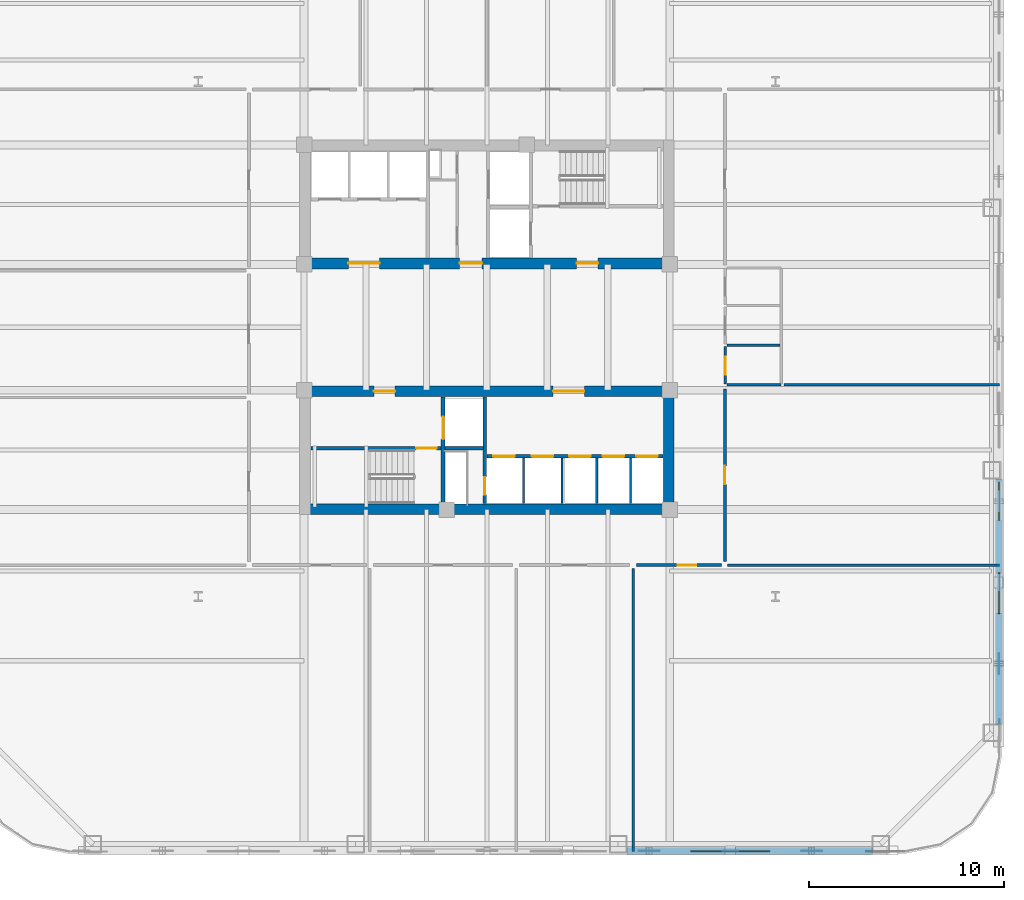
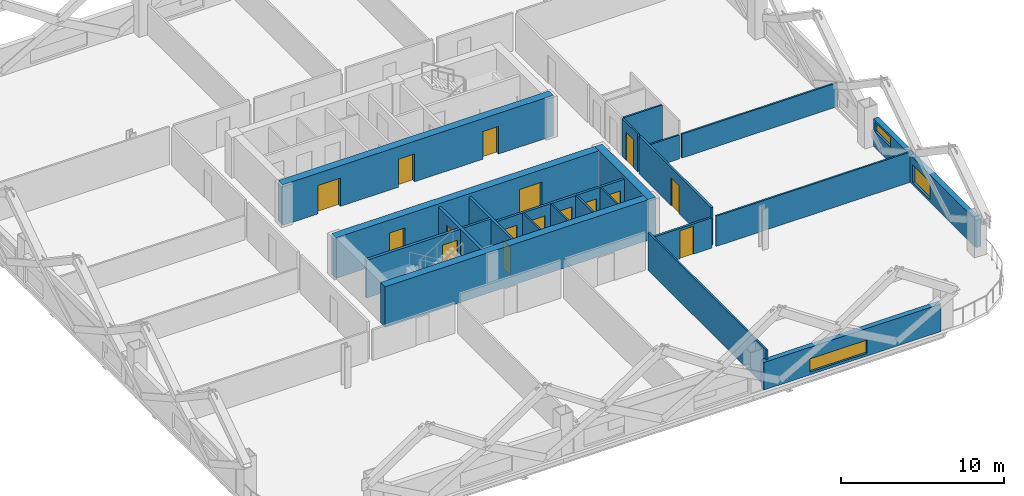
# One storey, part 5 of 13: 23 walls, 16 doors, 3 windows, 19 openings.
"""IFC4 building model written with IfcOpenShell, lengths in metres."""

from ifc_helpers import new_model, si_unit, direction, frame, frame_2d, origin, place, context, subcontext, project, spatial, rectangle, extrude, material, layer, layer_set, type_object, element, fill, save


model = new_model("IFC4")

# Units and contexts
model_context = context("Model", 3, precision=1e-05, world=origin(), true_north=direction((0.0, 1.0)))
body_context = subcontext(model_context, "Body", "Model", "MODEL_VIEW")
ifc_project = project(units=[si_unit("LENGTHUNIT", "METRE"), si_unit("AREAUNIT", "SQUARE_METRE"), si_unit("VOLUMEUNIT", "CUBIC_METRE"), si_unit("PLANEANGLEUNIT", "RADIAN"), si_unit("MASSUNIT", "GRAM", prefix="KILO")], contexts=[model_context])

# Site, building, storey
site_placement = place(None, origin())
site = spatial("IfcSite", under=ifc_project, at=site_placement, CompositionType="ELEMENT")
building_placement = place(site_placement, origin())
building = spatial("IfcBuilding", under=site, at=building_placement, Name="Qhalaya Broadcast Tower", CompositionType="ELEMENT")
storey_placement = place(building_placement, frame((0.0, 0.0, 44.39990234375)))
storey = spatial("IfcBuildingStorey", under=building, at=storey_placement, Name="L12", CompositionType="ELEMENT", Elevation=44.39990234375)

# Wall, opening, door
ifc_material_1 = material(Name="Gypsum Acoustic Partition")
ifc_layer_1 = layer(ifc_material_1, 0.14990234375, Name="Gypsum Acoustic Partition")
ifc_layer_set_1 = layer_set([ifc_layer_1], Name="Gypsum Acoustic Partition")
wall_type_1 = type_object("IfcWallType", Name="Corridor & Tenancy Acoustic Partition 150", PredefinedType="PARTITIONING", material=ifc_layer_set_1)
wall_1_placement = place(storey_placement, frame((7.679931640625, -11.60009765625, 0.0), z_axis=(0.0, 0.0, 1.0), x_axis=(1.0, 0.0, 0.0)))
wall_1 = element("IfcWall", 1, at=wall_1_placement, inside=storey, type_object=wall_type_1, Name="L12 Partition Wall W-COR-08", PredefinedType="PARTITIONING", context=body_context, shape_type="SweptSolid", body=[
    extrude(rectangle(XDim=4.340087890625, YDim=0.14990234375, at=frame_2d((2.169921875, 0.0))), origin(), (0.0, 0.0, 1.0), 2.274169921875),
])
opening_1_placement = place(wall_1_placement, frame((2.094970703125, 0.0, 0.0)))
opening_1 = element("IfcOpeningElement", 2, at=opening_1_placement, cuts=wall_1, Name="Opening D10", PredefinedType="OPENING", context=body_context, shape_type="SweptSolid", body=[
    extrude(rectangle(XDim=0.949951171875, YDim=2.10009765625, at=frame_2d((0.47509765625, 1.050048828125))), frame((0.0, 0.0869140625, 0.0), z_axis=(0.0, -1.0, 0.0), x_axis=(1.0, 0.0, 0.0)), (0.0, 0.0, 1.0), 0.173828125),
])
ifc_material_2 = material(Name="Timber Veneer Acoustic Door", Category="wood")
door_type_1 = type_object("IfcDoorType", Name="Cellular Office & Edit Booth Door D10", OperationType="NOTDEFINED", PredefinedType="DOOR", material=ifc_material_2)
door_1_placement = place(opening_1_placement, origin())
door_1 = element("IfcDoor", 3, at=door_1_placement, inside=storey, type_object=door_type_1, Name="L12 Door D-RM08", OperationType="SINGLE_SWING_LEFT", OverallHeight=2.10009765625, OverallWidth=0.949951171875, PredefinedType="DOOR", context=body_context, shape_type="SweptSolid", body=[
    extrude(rectangle(XDim=0.949951171875, YDim=2.10009765625, at=frame_2d((0.47509765625, 1.050048828125))), frame((0.0, 0.02490234375, 0.0), z_axis=(0.0, -1.0, 0.0), x_axis=(1.0, 0.0, 0.0)), (0.0, 0.0, 1.0), 0.050048828125),
])
fill(opening_1, door_1)

wall_2_placement = place(storey_placement, frame((12.199951171875, -11.39990234375, 0.0), z_axis=(0.0, 0.0, 1.0), x_axis=(0.0, 1.0, 0.0)))
wall_2 = element("IfcWall", 4, at=wall_2_placement, inside=storey, type_object=wall_type_1, Name="L12 Partition Wall W-COR-12", PredefinedType="PARTITIONING", context=body_context, shape_type="SweptSolid", body=[
    extrude(rectangle(XDim=8.83984375, YDim=0.14990234375, at=frame_2d((4.419921875, 0.0))), origin(), (0.0, 0.0, 1.0), 2.830078125),
])
opening_2_placement = place(wall_2_placement, frame((3.945068359375, 0.0, 0.0)))
opening_2 = element("IfcOpeningElement", 5, at=opening_2_placement, cuts=wall_2, Name="Opening D10", PredefinedType="OPENING", context=body_context, shape_type="SweptSolid", body=[
    extrude(rectangle(XDim=0.949951171875, YDim=2.10009765625, at=frame_2d((0.47509765625, 1.050048828125))), frame((0.0, 0.0869140625, 0.0), z_axis=(0.0, -1.0, 0.0), x_axis=(1.0, 0.0, 0.0)), (0.0, 0.0, 1.0), 0.173828125),
])
door_2_placement = place(opening_2_placement, origin())
door_2 = element("IfcDoor", 6, at=door_2_placement, inside=storey, type_object=door_type_1, Name="L12 Door D-RM12", OperationType="SINGLE_SWING_LEFT", OverallHeight=2.10009765625, OverallWidth=0.949951171875, PredefinedType="DOOR", context=body_context, shape_type="SweptSolid", body=[
    extrude(rectangle(XDim=0.949951171875, YDim=2.10009765625, at=frame_2d((0.47509765625, 1.050048828125))), frame((0.0, 0.02490234375, 0.0), z_axis=(0.0, -1.0, 0.0), x_axis=(1.0, 0.0, 0.0)), (0.0, 0.0, 1.0), 0.050048828125),
])
fill(opening_2, door_2)

# Wall, opening, window
ifc_material_3 = material(Name="Precast Concrete C40/50", Category="concrete")
ifc_layer_2 = layer(ifc_material_3, 0.360107421875, Name="Precast Concrete C40/50")
ifc_layer_set_2 = layer_set([ifc_layer_2], Name="Precast Concrete C40/50")
wall_type_2 = type_object("IfcWallType", Name="Insulated Precast Terracotta Exterior Wall 360", PredefinedType="SOLIDWALL", material=ifc_layer_set_2)
wall_3_placement = place(storey_placement, frame((19.761962890625, -26.260009765625, 0.0), z_axis=(0.0, 0.0, 1.0), x_axis=(-1.0, 0.0, 0.0)))
wall_3 = element("IfcWall", 7, at=wall_3_placement, inside=storey, type_object=wall_type_2, Name="L12 Exoskeleton Diagrid Infill Wall S1", PredefinedType="SOLIDWALL", context=body_context, shape_type="SweptSolid", body=[
    extrude(rectangle(XDim=12.57861328125, YDim=0.360107421875, at=frame_2d((6.289306640625, 0.0))), origin(), (0.0, 0.0, 1.0), 2.067138671875),
])
opening_3_placement = place(wall_3_placement, frame((5.25, 0.0, 0.199951171875)))
opening_3 = element("IfcOpeningElement", 8, at=opening_3_placement, cuts=wall_3, Name="Opening W11", PredefinedType="OPENING", context=body_context, shape_type="SweptSolid", body=[
    extrude(rectangle(XDim=4.050048828125, YDim=1.0, at=frame_2d((2.02490234375, 0.5))), frame((0.0, 0.192138671875, 0.0), z_axis=(0.0, -1.0, 0.0), x_axis=(1.0, 0.0, 0.0)), (0.0, 0.0, 1.0), 0.384033203125),
])
ifc_material_4 = material(Name="Solar-Control Low-E Triple Glazing", Category="glass")
window_type = type_object("IfcWindowType", Name="Odd-Block Diagrid Infill Window W11", PartitioningType="SINGLE_PANEL", PredefinedType="WINDOW", material=ifc_material_4)
window_1_placement = place(opening_3_placement, origin())
window_1 = element("IfcWindow", 9, at=window_1_placement, inside=storey, type_object=window_type, Name="L12 Diagrid Infill Window W11-S1", OverallHeight=1.0, OverallWidth=4.050048828125, PartitioningType="SINGLE_PANEL", PredefinedType="WINDOW", context=body_context, shape_type="SweptSolid", body=[
    extrude(rectangle(XDim=4.050048828125, YDim=1.0, at=frame_2d((2.02490234375, 0.5))), frame((0.0, 0.030029296875, 0.0), z_axis=(0.0, -1.0, 0.0), x_axis=(1.0, 0.0, 0.0)), (0.0, 0.0, 1.0), 0.06005859375),
])
fill(opening_3, window_1)

# Wall, openings, windows
wall_4_placement = place(storey_placement, frame((26.260009765625, -7.183349609375, 0.0), z_axis=(0.0, 0.0, 1.0), x_axis=(0.0, -1.0, 0.0)))
wall_4 = element("IfcWall", 10, at=wall_4_placement, inside=storey, type_object=wall_type_2, Name="L12 Exoskeleton Diagrid Infill Wall E3", PredefinedType="SOLIDWALL", context=body_context, shape_type="SweptSolid", body=[
    extrude(rectangle(XDim=12.57861328125, YDim=0.360107421875, at=frame_2d((6.289306640625, 0.0))), origin(), (0.0, 0.0, 1.0), 2.067138671875),
])
opening_4_placement = place(wall_4_placement, frame((0.155029296875, 0.0, 1.199951171875)))
opening_4 = element("IfcOpeningElement", 11, at=opening_4_placement, cuts=wall_4, Name="Opening W11", PredefinedType="OPENING", context=body_context, shape_type="SweptSolid", body=[
    extrude(rectangle(XDim=1.949951171875, YDim=0.699951171875, at=frame_2d((0.97509765625, 0.35009765625))), frame((0.0, 0.192138671875, 0.0), z_axis=(0.0, -1.0, 0.0), x_axis=(1.0, 0.0, 0.0)), (0.0, 0.0, 1.0), 0.384033203125),
])
opening_5_placement = place(wall_4_placement, frame((4.804931640625, 0.0, 0.199951171875)))
opening_5 = element("IfcOpeningElement", 12, at=opening_5_placement, cuts=wall_4, Name="Opening W11", PredefinedType="OPENING", context=body_context, shape_type="SweptSolid", body=[
    extrude(rectangle(XDim=2.10009765625, YDim=1.300048828125, at=frame_2d((1.050048828125, 0.64990234375))), frame((0.0, 0.192138671875, 0.0), z_axis=(0.0, -1.0, 0.0), x_axis=(1.0, 0.0, 0.0)), (0.0, 0.0, 1.0), 0.384033203125),
])
window_2_placement = place(opening_4_placement, origin())
window_2 = element("IfcWindow", 13, at=window_2_placement, inside=storey, type_object=window_type, Name="L12 Diagrid Infill Window W11-E6", OverallHeight=0.699951171875, OverallWidth=1.949951171875, PartitioningType="SINGLE_PANEL", PredefinedType="WINDOW", context=body_context, shape_type="SweptSolid", body=[
    extrude(rectangle(XDim=1.949951171875, YDim=0.699951171875, at=frame_2d((0.97509765625, 0.35009765625))), frame((0.0, 0.030029296875, 0.0), z_axis=(0.0, -1.0, 0.0), x_axis=(1.0, 0.0, 0.0)), (0.0, 0.0, 1.0), 0.06005859375),
])
fill(opening_4, window_2)
window_3_placement = place(opening_5_placement, origin())
window_3 = element("IfcWindow", 14, at=window_3_placement, inside=storey, type_object=window_type, Name="L12 Diagrid Infill Window W11-E7", OverallHeight=1.300048828125, OverallWidth=2.10009765625, PartitioningType="SINGLE_PANEL", PredefinedType="WINDOW", context=body_context, shape_type="SweptSolid", body=[
    extrude(rectangle(XDim=2.10009765625, YDim=1.300048828125, at=frame_2d((1.050048828125, 0.64990234375))), frame((0.0, 0.030029296875, 0.0), z_axis=(0.0, -1.0, 0.0), x_axis=(1.0, 0.0, 0.0)), (0.0, 0.0, 1.0), 0.06005859375),
])
fill(opening_5, window_3)

# Wall, opening, door
ifc_material_5 = material(Name="Concrete C50/60", Category="concrete")
ifc_layer_3 = layer(ifc_material_5, 0.199951171875, Name="Concrete C50/60")
ifc_layer_set_3 = layer_set([ifc_layer_3], Name="Concrete C50/60")
wall_type_3 = type_object("IfcWallType", Name="Load-Bearing Stair Shaft Wall 200", PredefinedType="SHEAR", material=ifc_layer_set_3)
wall_5_placement = place(storey_placement, frame((-9.030029296875, -5.60498046875, 0.0), z_axis=(0.0, 0.0, 1.0), x_axis=(1.0, 0.0, 0.0)))
wall_5 = element("IfcWall", 15, at=wall_5_placement, inside=storey, type_object=wall_type_3, Name="L12 Stair Core Shear Wall SCW-ST2", PredefinedType="SHEAR", context=body_context, shape_type="SweptSolid", body=[
    extrude(rectangle(XDim=6.669921875, YDim=0.199951171875, at=frame_2d((3.3349609375, 0.0))), origin(), (0.0, 0.0, 1.0), 2.830078125),
])
opening_6_placement = place(wall_5_placement, frame((5.39990234375, 0.0, 0.0)))
opening_6 = element("IfcOpeningElement", 16, at=opening_6_placement, cuts=wall_5, Name="Opening D03", PredefinedType="OPENING", context=body_context, shape_type="SweptSolid", body=[
    extrude(rectangle(XDim=1.050048828125, YDim=2.080078125, at=frame_2d((0.52490234375, 1.0400390625))), frame((0.0, 0.112060546875, 0.0), z_axis=(0.0, -1.0, 0.0), x_axis=(1.0, 0.0, 0.0)), (0.0, 0.0, 1.0), 0.223876953125),
])
ifc_material_6 = material(Name="Fire-Rated Steel Door", Category="steel")
door_type_2 = type_object("IfcDoorType", Name="Core Stair Protected Fire Door D03", OperationType="NOTDEFINED", PredefinedType="DOOR", material=ifc_material_6)
door_3_placement = place(opening_6_placement, origin())
door_3 = element("IfcDoor", 17, at=door_3_placement, inside=storey, type_object=door_type_2, Name="L12 Door D-SST2", OperationType="SINGLE_SWING_RIGHT", OverallHeight=2.080078125, OverallWidth=1.050048828125, PredefinedType="DOOR", context=body_context, shape_type="SweptSolid", body=[
    extrude(rectangle(XDim=1.050048828125, YDim=2.080078125, at=frame_2d((0.52490234375, 1.0400390625))), frame((0.0, 0.02490234375, 0.0), z_axis=(0.0, -1.0, 0.0), x_axis=(1.0, 0.0, 0.0)), (0.0, 0.0, 1.0), 0.050048828125),
])
fill(opening_6, door_3)

wall_6_placement = place(storey_placement, frame((-2.25, -8.429931640625, 0.0), z_axis=(0.0, 0.0, 1.0), x_axis=(0.0, 1.0, 0.0)))
wall_6 = element("IfcWall", 18, at=wall_6_placement, inside=storey, type_object=wall_type_3, Name="L12 Stair Core Shear Wall SCW-FF", PredefinedType="SHEAR", context=body_context, shape_type="SweptSolid", body=[
    extrude(rectangle(XDim=5.4599609375, YDim=0.199951171875, at=frame_2d((2.72998046875, 0.0))), origin(), (0.0, 0.0, 1.0), 2.830078125),
])
opening_7_placement = place(wall_6_placement, frame((3.300048828125, 0.0, 0.0)))
opening_7 = element("IfcOpeningElement", 19, at=opening_7_placement, cuts=wall_6, Name="Opening LD2", PredefinedType="OPENING", context=body_context, shape_type="SweptSolid", body=[
    extrude(rectangle(XDim=1.14990234375, YDim=2.080078125, at=frame_2d((0.574951171875, 1.0400390625))), frame((0.0, 0.112060546875, 0.0), z_axis=(0.0, -1.0, 0.0), x_axis=(1.0, 0.0, 0.0)), (0.0, 0.0, 1.0), 0.223876953125),
])
ifc_material_7 = material(Name="Brushed Stainless Steel Lift Door", Category="steel")
door_type_3 = type_object("IfcDoorType", Name="Firefighting Lift Sliding Landing Door LD2", OperationType="DOUBLE_DOOR_SLIDING", PredefinedType="DOOR", material=ifc_material_7)
door_4_placement = place(opening_7_placement, origin())
door_4 = element("IfcDoor", 20, at=door_4_placement, inside=storey, type_object=door_type_3, Name="L12 Door LD-FF2", OperationType="DOUBLE_DOOR_SLIDING", OverallHeight=2.080078125, OverallWidth=1.14990234375, PredefinedType="DOOR", context=body_context, shape_type="SweptSolid", body=[
    extrude(rectangle(XDim=1.14990234375, YDim=2.080078125, at=frame_2d((0.574951171875, 1.0400390625))), frame((0.0, 0.02490234375, 0.0), z_axis=(0.0, -1.0, 0.0), x_axis=(1.0, 0.0, 0.0)), (0.0, 0.0, 1.0), 0.050048828125),
])
fill(opening_7, door_4)

# Wall, openings, doors
ifc_material_8 = material(Name="Concrete C60/75", Category="concrete")
ifc_layer_4 = layer(ifc_material_8, 0.550048828125, Name="Concrete C60/75")
ifc_layer_set_4 = layer_set([ifc_layer_4], Name="Concrete C60/75")
wall_type_4 = type_object("IfcWallType", Name="Lower Split-Core Shear Wall 550", PredefinedType="SHEAR", material=ifc_layer_set_4)
wall_7_placement = place(storey_placement, frame((-9.60009765625, 3.875, 0.0), z_axis=(0.0, 0.0, 1.0), x_axis=(1.0, 0.0, 0.0)))
wall_7 = element("IfcWall", 21, at=wall_7_placement, inside=storey, type_object=wall_type_4, Name="L12 Split-Core Shear Wall CW-NS", PredefinedType="SHEAR", context=body_context, shape_type="SweptSolid", body=[
    extrude(rectangle(XDim=19.2001953125, YDim=0.550048828125, at=frame_2d((9.60009765625, 0.0))), origin(), (0.0, 0.0, 1.0), 3.050048828125),
])
opening_8_placement = place(wall_7_placement, frame((14.199951171875, 0.0, 0.0)))
opening_8 = element("IfcOpeningElement", 22, at=opening_8_placement, cuts=wall_7, Name="Opening D04", PredefinedType="OPENING", context=body_context, shape_type="SweptSolid", body=[
    extrude(rectangle(XDim=1.10009765625, YDim=2.080078125, at=frame_2d((0.550048828125, 1.0400390625))), frame((0.0, 0.287109375, 0.0), z_axis=(0.0, -1.0, 0.0), x_axis=(1.0, 0.0, 0.0)), (0.0, 0.0, 1.0), 0.573974609375),
])
opening_9_placement = place(wall_7_placement, frame((8.199951171875, 0.0, 0.0)))
opening_9 = element("IfcOpeningElement", 23, at=opening_9_placement, cuts=wall_7, Name="Opening D05", PredefinedType="OPENING", context=body_context, shape_type="SweptSolid", body=[
    extrude(rectangle(XDim=1.14990234375, YDim=2.10009765625, at=frame_2d((0.574951171875, 1.050048828125))), frame((0.0, 0.287109375, 0.0), z_axis=(0.0, -1.0, 0.0), x_axis=(1.0, 0.0, 0.0)), (0.0, 0.0, 1.0), 0.573974609375),
])
opening_10_placement = place(wall_7_placement, frame((2.5, 0.0, 0.0)))
opening_10 = element("IfcOpeningElement", 24, at=opening_10_placement, cuts=wall_7, Name="Opening D07", PredefinedType="OPENING", context=body_context, shape_type="SweptSolid", body=[
    extrude(rectangle(XDim=1.60009765625, YDim=2.1201171875, at=frame_2d((0.800048828125, 1.06005859375))), frame((0.0, 0.287109375, 0.0), z_axis=(0.0, -1.0, 0.0), x_axis=(1.0, 0.0, 0.0)), (0.0, 0.0, 1.0), 0.573974609375),
])
door_type_4 = type_object("IfcDoorType", Name="Firefighting Lobby Rated Door D04", OperationType="NOTDEFINED", PredefinedType="DOOR", material=ifc_material_6)
door_5_placement = place(opening_8_placement, origin())
door_5 = element("IfcDoor", 25, at=door_5_placement, inside=storey, type_object=door_type_4, Name="L12 Door D-NFF", OperationType="SINGLE_SWING_RIGHT", OverallHeight=2.080078125, OverallWidth=1.10009765625, PredefinedType="DOOR", context=body_context, shape_type="SweptSolid", body=[
    extrude(rectangle(XDim=1.10009765625, YDim=2.080078125, at=frame_2d((0.550048828125, 1.0400390625))), frame((0.0, 0.02490234375, 0.0), z_axis=(0.0, -1.0, 0.0), x_axis=(1.0, 0.0, 0.0)), (0.0, 0.0, 1.0), 0.050048828125),
])
fill(opening_8, door_5)
ifc_material_9 = material(Name="Anodised Aluminium Glazed Door", Category="aluminium")
door_type_5 = type_object("IfcDoorType", Name="Passenger Lift Lobby Double Glazed Door D07", OperationType="DOUBLE_DOOR_SINGLE_SWING", PredefinedType="DOOR", material=ifc_material_9)
door_6_placement = place(opening_10_placement, origin())
door_6 = element("IfcDoor", 26, at=door_6_placement, inside=storey, type_object=door_type_5, Name="L12 Door D-NPLL", OperationType="DOUBLE_DOOR_SINGLE_SWING", OverallHeight=2.1201171875, OverallWidth=1.60009765625, PredefinedType="DOOR", context=body_context, shape_type="SweptSolid", body=[
    extrude(rectangle(XDim=1.60009765625, YDim=2.1201171875, at=frame_2d((0.800048828125, 1.06005859375))), frame((0.0, 0.02490234375, 0.0), z_axis=(0.0, -1.0, 0.0), x_axis=(1.0, 0.0, 0.0)), (0.0, 0.0, 1.0), 0.050048828125),
])
fill(opening_10, door_6)
door_type_6 = type_object("IfcDoorType", Name="Refuge & Plant Room Fire Door D05", OperationType="NOTDEFINED", PredefinedType="DOOR", material=ifc_material_6)
door_7_placement = place(opening_9_placement, origin())
door_7 = element("IfcDoor", 27, at=door_7_placement, inside=storey, type_object=door_type_6, Name="L12 Door D-NSVL", OperationType="SINGLE_SWING_LEFT", OverallHeight=2.10009765625, OverallWidth=1.14990234375, PredefinedType="DOOR", context=body_context, shape_type="SweptSolid", body=[
    extrude(rectangle(XDim=1.14990234375, YDim=2.10009765625, at=frame_2d((0.574951171875, 1.050048828125))), frame((0.0, 0.02490234375, 0.0), z_axis=(0.0, -1.0, 0.0), x_axis=(1.0, 0.0, 0.0)), (0.0, 0.0, 1.0), 0.050048828125),
])
fill(opening_9, door_7)

# Wall
wall_8_placement = place(storey_placement, frame((-9.60009765625, -8.72509765625, 0.0), z_axis=(0.0, 0.0, 1.0), x_axis=(1.0, 0.0, 0.0)))
element("IfcWall", 28, at=wall_8_placement, inside=storey, type_object=wall_type_4, Name="L12 Split-Core Shear Wall CW-SS", PredefinedType="SHEAR", context=body_context, shape_type="SweptSolid", body=[
    extrude(rectangle(XDim=19.2001953125, YDim=0.550048828125, at=frame_2d((9.60009765625, 0.0))), origin(), (0.0, 0.0, 1.0), 3.050048828125),
])

# Wall, openings, doors
wall_9_placement = place(storey_placement, frame((-9.60009765625, -2.675048828125, 0.0), z_axis=(0.0, 0.0, 1.0), x_axis=(1.0, 0.0, 0.0)))
wall_9 = element("IfcWall", 29, at=wall_9_placement, inside=storey, type_object=wall_type_4, Name="L12 Split-Core Shear Wall CW-SN", PredefinedType="SHEAR", context=body_context, shape_type="SweptSolid", body=[
    extrude(rectangle(XDim=19.2001953125, YDim=0.550048828125, at=frame_2d((9.60009765625, 0.0))), origin(), (0.0, 0.0, 1.0), 3.050048828125),
])
opening_11_placement = place(wall_9_placement, frame((3.800048828125, 0.0, 0.0)))
opening_11 = element("IfcOpeningElement", 30, at=opening_11_placement, cuts=wall_9, Name="Opening D04", PredefinedType="OPENING", context=body_context, shape_type="SweptSolid", body=[
    extrude(rectangle(XDim=1.10009765625, YDim=2.080078125, at=frame_2d((0.550048828125, 1.0400390625))), frame((0.0, 0.287109375, 0.0), z_axis=(0.0, -1.0, 0.0), x_axis=(1.0, 0.0, 0.0)), (0.0, 0.0, 1.0), 0.573974609375),
])
opening_12_placement = place(wall_9_placement, frame((13.0, 0.0, 0.0)))
opening_12 = element("IfcOpeningElement", 31, at=opening_12_placement, cuts=wall_9, Name="Opening D07", PredefinedType="OPENING", context=body_context, shape_type="SweptSolid", body=[
    extrude(rectangle(XDim=1.60009765625, YDim=2.1201171875, at=frame_2d((0.800048828125, 1.06005859375))), frame((0.0, 0.287109375, 0.0), z_axis=(0.0, -1.0, 0.0), x_axis=(1.0, 0.0, 0.0)), (0.0, 0.0, 1.0), 0.573974609375),
])
door_8_placement = place(opening_11_placement, origin())
door_8 = element("IfcDoor", 32, at=door_8_placement, inside=storey, type_object=door_type_4, Name="L12 Door D-SFF", OperationType="SINGLE_SWING_LEFT", OverallHeight=2.080078125, OverallWidth=1.10009765625, PredefinedType="DOOR", context=body_context, shape_type="SweptSolid", body=[
    extrude(rectangle(XDim=1.10009765625, YDim=2.080078125, at=frame_2d((0.550048828125, 1.0400390625))), frame((0.0, 0.02490234375, 0.0), z_axis=(0.0, -1.0, 0.0), x_axis=(1.0, 0.0, 0.0)), (0.0, 0.0, 1.0), 0.050048828125),
])
fill(opening_11, door_8)
door_9_placement = place(opening_12_placement, origin())
door_9 = element("IfcDoor", 33, at=door_9_placement, inside=storey, type_object=door_type_5, Name="L12 Door D-SPLL", OperationType="DOUBLE_DOOR_SINGLE_SWING", OverallHeight=2.1201171875, OverallWidth=1.60009765625, PredefinedType="DOOR", context=body_context, shape_type="SweptSolid", body=[
    extrude(rectangle(XDim=1.60009765625, YDim=2.1201171875, at=frame_2d((0.800048828125, 1.06005859375))), frame((0.0, 0.02490234375, 0.0), z_axis=(0.0, -1.0, 0.0), x_axis=(1.0, 0.0, 0.0)), (0.0, 0.0, 1.0), 0.050048828125),
])
fill(opening_12, door_9)

# Walls
wall_10_placement = place(storey_placement, frame((9.324951171875, -9.0, 0.0), z_axis=(0.0, 0.0, 1.0), x_axis=(0.0, 1.0, 0.0)))
element("IfcWall", 34, at=wall_10_placement, inside=storey, type_object=wall_type_4, Name="L12 Split-Core Shear Wall CW-SE", PredefinedType="SHEAR", context=body_context, shape_type="SweptSolid", body=[
    extrude(rectangle(XDim=6.60009765625, YDim=0.550048828125, at=frame_2d((3.300048828125, 0.0))), origin(), (0.0, 0.0, 1.0), 3.050048828125),
])
ifc_layer_5 = layer(ifc_material_1, 0.1201171875, Name="Gypsum Acoustic Partition")
ifc_layer_set_5 = layer_set([ifc_layer_5], Name="Gypsum Acoustic Partition")
wall_type_5 = type_object("IfcWallType", Name="Office, Booth & Sanitary Partition 120", PredefinedType="PARTITIONING", material=ifc_layer_set_5)
for number, where, z_axis, x_axis, name in (
    (35, (1.8798828125, -8.429931640625, 0.0), (0.0, 0.0, 1.0), (0.0, 1.0, 0.0), "L12 Partition Wall SCW-MD4"),
    (36, (3.85009765625, -8.429931640625, 0.0), (0.0, 0.0, 1.0), (0.0, 1.0, 0.0), "L12 Partition Wall SCW-MD5"),
    (37, (5.639892578125, -8.429931640625, 0.0), (0.0, 0.0, 1.0), (0.0, 1.0, 0.0), "L12 Partition Wall SCW-HD6"),
    (38, (7.360107421875, -8.429931640625, 0.0), (0.0, 0.0, 1.0), (0.0, 1.0, 0.0), "L12 Partition Wall SCW-HD7"),
):
    element("IfcWall", number, at=place(storey_placement, frame(where, z_axis=z_axis, x_axis=x_axis)), inside=storey, type_object=wall_type_5, Name=name, PredefinedType="PARTITIONING", context=body_context, shape_type="SweptSolid", body=[
        extrude(rectangle(XDim=2.329833984375, YDim=0.1201171875, at=frame_2d((1.1650390625, 0.0))), origin(), (0.0, 0.0, 1.0), 2.830078125),
    ])

# Wall, opening, door
wall_11_placement = place(storey_placement, frame((12.219970703125, -2.320068359375, 0.0), z_axis=(0.0, 0.0, 1.0), x_axis=(0.0, 1.0, 0.0)))
wall_11 = element("IfcWall", 39, at=wall_11_placement, inside=storey, type_object=wall_type_5, Name="L12 Partition Wall W-WCWA", PredefinedType="PARTITIONING", context=body_context, shape_type="SweptSolid", body=[
    extrude(rectangle(XDim=1.940185546875, YDim=0.1201171875, at=frame_2d((0.97021484375, 0.0))), origin(), (0.0, 0.0, 1.0), 2.830078125),
])
opening_13_placement = place(wall_11_placement, frame((0.4951171875, 0.0, 0.0)))
opening_13 = element("IfcOpeningElement", 40, at=opening_13_placement, cuts=wall_11, Name="Opening D12", PredefinedType="OPENING", context=body_context, shape_type="SweptSolid", body=[
    extrude(rectangle(XDim=0.919921875, YDim=2.10009765625, at=frame_2d((0.4599609375, 1.050048828125))), frame((0.0, 0.072021484375, 0.0), z_axis=(0.0, -1.0, 0.0), x_axis=(1.0, 0.0, 0.0)), (0.0, 0.0, 1.0), 0.14404296875),
])
door_type_7 = type_object("IfcDoorType", Name="Accessible WC & Restroom Door D12", OperationType="NOTDEFINED", PredefinedType="DOOR", material=ifc_material_2)
door_10_placement = place(opening_13_placement, origin())
door_10 = element("IfcDoor", 41, at=door_10_placement, inside=storey, type_object=door_type_7, Name="L12 Door D-WCA", OperationType="SINGLE_SWING_LEFT", OverallHeight=2.10009765625, OverallWidth=0.919921875, PredefinedType="DOOR", context=body_context, shape_type="SweptSolid", body=[
    extrude(rectangle(XDim=0.919921875, YDim=2.10009765625, at=frame_2d((0.4599609375, 1.050048828125))), frame((0.0, 0.02490234375, 0.0), z_axis=(0.0, -1.0, 0.0), x_axis=(1.0, 0.0, 0.0)), (0.0, 0.0, 1.0), 0.050048828125),
])
fill(opening_13, door_10)

# Walls
wall_12_placement = place(storey_placement, frame((12.31005859375, -2.35009765625, 0.0), z_axis=(0.0, 0.0, 1.0), x_axis=(1.0, 0.0, 0.0)))
element("IfcWall", 42, at=wall_12_placement, inside=storey, type_object=wall_type_5, Name="L12 Partition Wall W-WCS", PredefinedType="PARTITIONING", context=body_context, shape_type="SweptSolid", body=[
    extrude(rectangle(XDim=2.760009765625, YDim=0.1201171875, at=frame_2d((1.3798828125, 0.0))), origin(), (0.0, 0.0, 1.0), 1.799072265625),
])
wall_13_placement = place(storey_placement, frame((12.31005859375, -0.320068359375, 0.0), z_axis=(0.0, 0.0, 1.0), x_axis=(1.0, 0.0, 0.0)))
element("IfcWall", 43, at=wall_13_placement, inside=storey, type_object=wall_type_5, Name="L12 Partition Wall W-WCD1", PredefinedType="PARTITIONING", context=body_context, shape_type="SweptSolid", body=[
    extrude(rectangle(XDim=2.719970703125, YDim=0.1201171875, at=frame_2d((1.35986328125, 0.0))), origin(), (0.0, 0.0, 1.0), 2.830078125),
])
wall_14_placement = place(storey_placement, frame((12.340087890625, -11.60009765625, 0.0), z_axis=(0.0, 0.0, 1.0), x_axis=(1.0, 0.0, 0.0)))
element("IfcWall", 44, at=wall_14_placement, inside=storey, type_object=wall_type_5, Name="L12 Partition Wall W-BNDE2", PredefinedType="PARTITIONING", context=body_context, shape_type="SweptSolid", body=[
    extrude(rectangle(XDim=13.93994140625, YDim=0.1201171875, at=frame_2d((6.969970703125, 0.0))), origin(), (0.0, 0.0, 1.0), 2.274169921875),
])
wall_15_placement = place(storey_placement, frame((7.5, -26.280029296875, 0.0), z_axis=(0.0, 0.0, 1.0), x_axis=(0.0, 1.0, 0.0)))
element("IfcWall", 45, at=wall_15_placement, inside=storey, type_object=wall_type_5, Name="L12 Partition Wall W-DIVS3", PredefinedType="PARTITIONING", context=body_context, shape_type="SweptSolid", body=[
    extrude(rectangle(XDim=14.52001953125, YDim=0.1201171875, at=frame_2d((7.260009765625, 0.0))), origin(), (0.0, 0.0, 1.0), 2.830078125),
])
wall_16_placement = place(storey_placement, frame((15.239990234375, -2.35009765625, 0.0), z_axis=(0.0, 0.0, 1.0), x_axis=(1.0, 0.0, 0.0)))
element("IfcWall", 46, at=wall_16_placement, inside=storey, type_object=wall_type_5, Name="L12 Partition Wall W-DIVE-WC", PredefinedType="PARTITIONING", context=body_context, shape_type="SweptSolid", body=[
    extrude(rectangle(XDim=11.0400390625, YDim=0.1201171875, at=frame_2d((5.52001953125, 0.0))), origin(), (0.0, 0.0, 1.0), 1.799072265625),
])

# Wall, opening, door
ifc_layer_6 = layer(ifc_material_1, 0.175048828125, Name="Gypsum Acoustic Partition")
ifc_layer_set_6 = layer_set([ifc_layer_6], Name="Gypsum Acoustic Partition")
wall_type_6 = type_object("IfcWallType", Name="Shaft & Riser Fire Partition 175", PredefinedType="PARTITIONING", material=ifc_layer_set_6)
wall_17_placement = place(storey_placement, frame((-0.10009765625, -8.429931640625, 0.0), z_axis=(0.0, 0.0, 1.0), x_axis=(0.0, 1.0, 0.0)))
wall_17 = element("IfcWall", 47, at=wall_17_placement, inside=storey, type_object=wall_type_6, Name="L12 Partition Wall SCW-FFE", PredefinedType="PARTITIONING", context=body_context, shape_type="SweptSolid", body=[
    extrude(rectangle(XDim=5.4599609375, YDim=0.175048828125, at=frame_2d((2.72998046875, 0.0))), origin(), (0.0, 0.0, 1.0), 2.830078125),
])
opening_14_placement = place(wall_17_placement, frame((0.449951171875, 0.0, 0.0)))
opening_14 = element("IfcOpeningElement", 48, at=opening_14_placement, cuts=wall_17, Name="Opening D06", PredefinedType="OPENING", context=body_context, shape_type="SweptSolid", body=[
    extrude(rectangle(XDim=0.89990234375, YDim=2.050048828125, at=frame_2d((0.449951171875, 1.02490234375))), frame((0.0, 0.099609375, 0.0), z_axis=(0.0, -1.0, 0.0), x_axis=(1.0, 0.0, 0.0)), (0.0, 0.0, 1.0), 0.198974609375),
])
door_type_8 = type_object("IfcDoorType", Name="Riser & Electrical Shaft Access Door D06", OperationType="NOTDEFINED", PredefinedType="DOOR", material=ifc_material_6)
door_11_placement = place(opening_14_placement, origin())
door_11 = element("IfcDoor", 49, at=door_11_placement, inside=storey, type_object=door_type_8, Name="L12 Riser Shaft Access Door D-SRSR", OperationType="SINGLE_SWING_LEFT", OverallHeight=2.050048828125, OverallWidth=0.89990234375, PredefinedType="DOOR", context=body_context, shape_type="SweptSolid", body=[
    extrude(rectangle(XDim=0.89990234375, YDim=2.050048828125, at=frame_2d((0.449951171875, 1.02490234375))), frame((0.0, 0.02490234375, 0.0), z_axis=(0.0, -1.0, 0.0), x_axis=(1.0, 0.0, 0.0)), (0.0, 0.0, 1.0), 0.050048828125),
])
fill(opening_14, door_11)

# Wall
wall_18_placement = place(storey_placement, frame((-2.14990234375, -5.60009765625, 0.0), z_axis=(0.0, 0.0, 1.0), x_axis=(1.0, 0.0, 0.0)))
element("IfcWall", 50, at=wall_18_placement, inside=storey, type_object=wall_type_6, Name="L12 Partition Wall SCW-FFM", PredefinedType="PARTITIONING", context=body_context, shape_type="SweptSolid", body=[
    extrude(rectangle(XDim=1.969970703125, YDim=0.175048828125, at=frame_2d((0.98486328125, 0.0))), origin(), (0.0, 0.0, 1.0), 2.830078125),
])

# Wall, openings, doors
wall_19_placement = place(storey_placement, frame((0.0, -6.02001953125, 0.0), z_axis=(0.0, 0.0, 1.0), x_axis=(1.0, 0.0, 0.0)))
wall_19 = element("IfcWall", 51, at=wall_19_placement, inside=storey, type_object=wall_type_6, Name="L12 Partition Wall SCW-SLB", PredefinedType="PARTITIONING", context=body_context, shape_type="SweptSolid", body=[
    extrude(rectangle(XDim=9.030029296875, YDim=0.175048828125, at=frame_2d((4.51513671875, 0.0))), origin(), (0.0, 0.0, 1.0), 2.830078125),
])
opening_15_placement = place(wall_19_placement, frame((0.330078125, 0.0, 0.0)))
opening_15 = element("IfcOpeningElement", 52, at=opening_15_placement, cuts=wall_19, Name="Opening LD1", PredefinedType="OPENING", context=body_context, shape_type="SweptSolid", body=[
    extrude(rectangle(XDim=1.10009765625, YDim=2.06005859375, at=frame_2d((0.550048828125, 1.030029296875))), frame((0.0, 0.099609375, 0.0), z_axis=(0.0, -1.0, 0.0), x_axis=(1.0, 0.0, 0.0)), (0.0, 0.0, 1.0), 0.198974609375),
])
opening_16_placement = place(wall_19_placement, frame((2.300048828125, 0.0, 0.0)))
opening_16 = element("IfcOpeningElement", 53, at=opening_16_placement, cuts=wall_19, Name="Opening LD1", PredefinedType="OPENING", context=body_context, shape_type="SweptSolid", body=[
    extrude(rectangle(XDim=1.10009765625, YDim=2.06005859375, at=frame_2d((0.550048828125, 1.030029296875))), frame((0.0, 0.099609375, 0.0), z_axis=(0.0, -1.0, 0.0), x_axis=(1.0, 0.0, 0.0)), (0.0, 0.0, 1.0), 0.198974609375),
])
opening_17_placement = place(wall_19_placement, frame((4.219970703125, 0.0, 0.0)))
opening_17 = element("IfcOpeningElement", 54, at=opening_17_placement, cuts=wall_19, Name="Opening LD1", PredefinedType="OPENING", context=body_context, shape_type="SweptSolid", body=[
    extrude(rectangle(XDim=1.10009765625, YDim=2.06005859375, at=frame_2d((0.550048828125, 1.030029296875))), frame((0.0, 0.099609375, 0.0), z_axis=(0.0, -1.0, 0.0), x_axis=(1.0, 0.0, 0.0)), (0.0, 0.0, 1.0), 0.198974609375),
])
opening_18_placement = place(wall_19_placement, frame((5.93994140625, 0.0, 0.0)))
opening_18 = element("IfcOpeningElement", 55, at=opening_18_placement, cuts=wall_19, Name="Opening LD1", PredefinedType="OPENING", context=body_context, shape_type="SweptSolid", body=[
    extrude(rectangle(XDim=1.10009765625, YDim=2.06005859375, at=frame_2d((0.550048828125, 1.030029296875))), frame((0.0, 0.099609375, 0.0), z_axis=(0.0, -1.0, 0.0), x_axis=(1.0, 0.0, 0.0)), (0.0, 0.0, 1.0), 0.198974609375),
])
opening_19_placement = place(wall_19_placement, frame((7.659912109375, 0.0, 0.0)))
opening_19 = element("IfcOpeningElement", 56, at=opening_19_placement, cuts=wall_19, Name="Opening LD1", PredefinedType="OPENING", context=body_context, shape_type="SweptSolid", body=[
    extrude(rectangle(XDim=1.10009765625, YDim=2.06005859375, at=frame_2d((0.550048828125, 1.030029296875))), frame((0.0, 0.099609375, 0.0), z_axis=(0.0, -1.0, 0.0), x_axis=(1.0, 0.0, 0.0)), (0.0, 0.0, 1.0), 0.198974609375),
])
door_type_9 = type_object("IfcDoorType", Name="Passenger Lift Sliding Landing Door LD1", OperationType="DOUBLE_DOOR_SLIDING", PredefinedType="DOOR", material=ifc_material_7)
door_12_placement = place(opening_15_placement, origin())
door_12 = element("IfcDoor", 57, at=door_12_placement, inside=storey, type_object=door_type_9, Name="L12 Door LD-P4", OperationType="DOUBLE_DOOR_SLIDING", OverallHeight=2.06005859375, OverallWidth=1.10009765625, PredefinedType="DOOR", context=body_context, shape_type="SweptSolid", body=[
    extrude(rectangle(XDim=1.10009765625, YDim=2.06005859375, at=frame_2d((0.550048828125, 1.030029296875))), frame((0.0, 0.02490234375, 0.0), z_axis=(0.0, -1.0, 0.0), x_axis=(1.0, 0.0, 0.0)), (0.0, 0.0, 1.0), 0.050048828125),
])
fill(opening_15, door_12)
door_13_placement = place(opening_16_placement, origin())
door_13 = element("IfcDoor", 58, at=door_13_placement, inside=storey, type_object=door_type_9, Name="L12 Door LD-P5", OperationType="DOUBLE_DOOR_SLIDING", OverallHeight=2.06005859375, OverallWidth=1.10009765625, PredefinedType="DOOR", context=body_context, shape_type="SweptSolid", body=[
    extrude(rectangle(XDim=1.10009765625, YDim=2.06005859375, at=frame_2d((0.550048828125, 1.030029296875))), frame((0.0, 0.02490234375, 0.0), z_axis=(0.0, -1.0, 0.0), x_axis=(1.0, 0.0, 0.0)), (0.0, 0.0, 1.0), 0.050048828125),
])
fill(opening_16, door_13)
door_14_placement = place(opening_17_placement, origin())
door_14 = element("IfcDoor", 59, at=door_14_placement, inside=storey, type_object=door_type_9, Name="L12 Door LD-P6", OperationType="DOUBLE_DOOR_SLIDING", OverallHeight=2.06005859375, OverallWidth=1.10009765625, PredefinedType="DOOR", context=body_context, shape_type="SweptSolid", body=[
    extrude(rectangle(XDim=1.10009765625, YDim=2.06005859375, at=frame_2d((0.550048828125, 1.030029296875))), frame((0.0, 0.02490234375, 0.0), z_axis=(0.0, -1.0, 0.0), x_axis=(1.0, 0.0, 0.0)), (0.0, 0.0, 1.0), 0.050048828125),
])
fill(opening_17, door_14)
door_15_placement = place(opening_18_placement, origin())
door_15 = element("IfcDoor", 60, at=door_15_placement, inside=storey, type_object=door_type_9, Name="L12 Door LD-P7", OperationType="DOUBLE_DOOR_SLIDING", OverallHeight=2.06005859375, OverallWidth=1.10009765625, PredefinedType="DOOR", context=body_context, shape_type="SweptSolid", body=[
    extrude(rectangle(XDim=1.10009765625, YDim=2.06005859375, at=frame_2d((0.550048828125, 1.030029296875))), frame((0.0, 0.02490234375, 0.0), z_axis=(0.0, -1.0, 0.0), x_axis=(1.0, 0.0, 0.0)), (0.0, 0.0, 1.0), 0.050048828125),
])
fill(opening_18, door_15)
door_16_placement = place(opening_19_placement, origin())
door_16 = element("IfcDoor", 61, at=door_16_placement, inside=storey, type_object=door_type_9, Name="L12 Door LD-P8", OperationType="DOUBLE_DOOR_SLIDING", OverallHeight=2.06005859375, OverallWidth=1.10009765625, PredefinedType="DOOR", context=body_context, shape_type="SweptSolid", body=[
    extrude(rectangle(XDim=1.10009765625, YDim=2.06005859375, at=frame_2d((0.550048828125, 1.030029296875))), frame((0.0, 0.02490234375, 0.0), z_axis=(0.0, -1.0, 0.0), x_axis=(1.0, 0.0, 0.0)), (0.0, 0.0, 1.0), 0.050048828125),
])
fill(opening_19, door_16)

save(model, "model.ifc")
